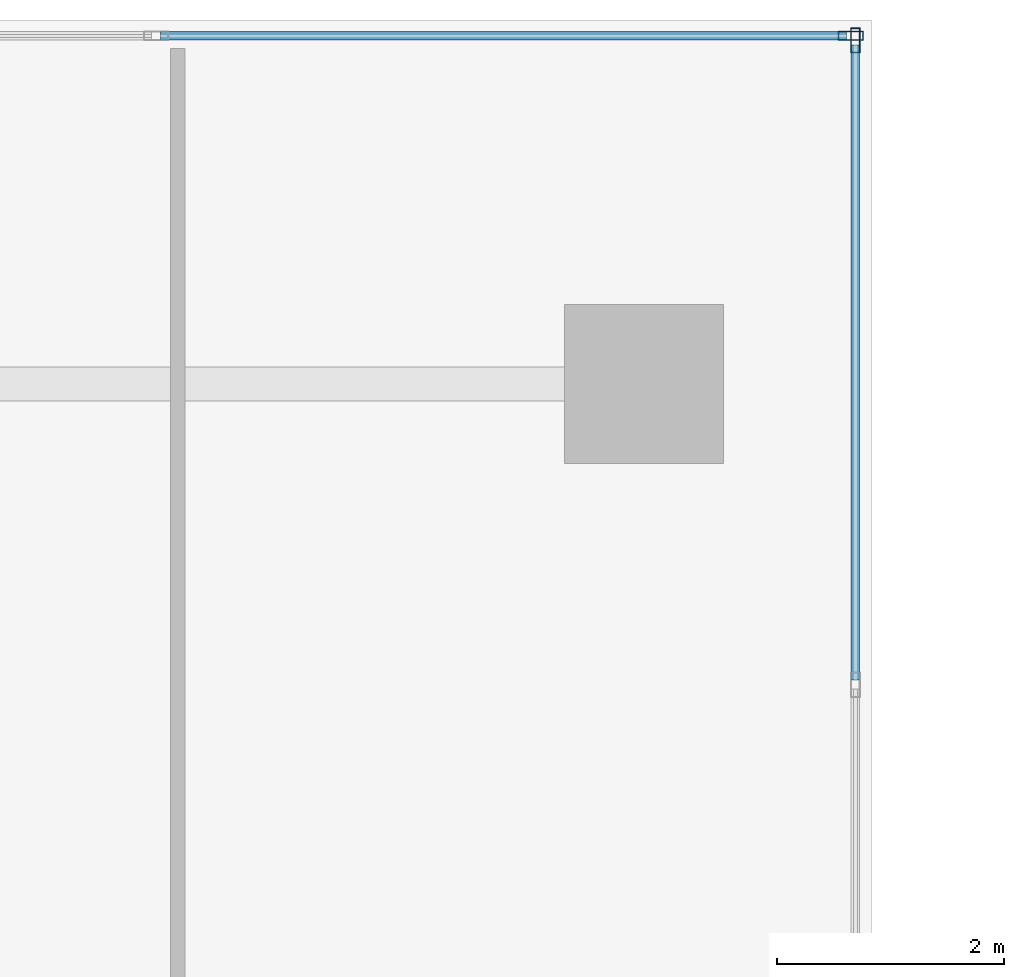
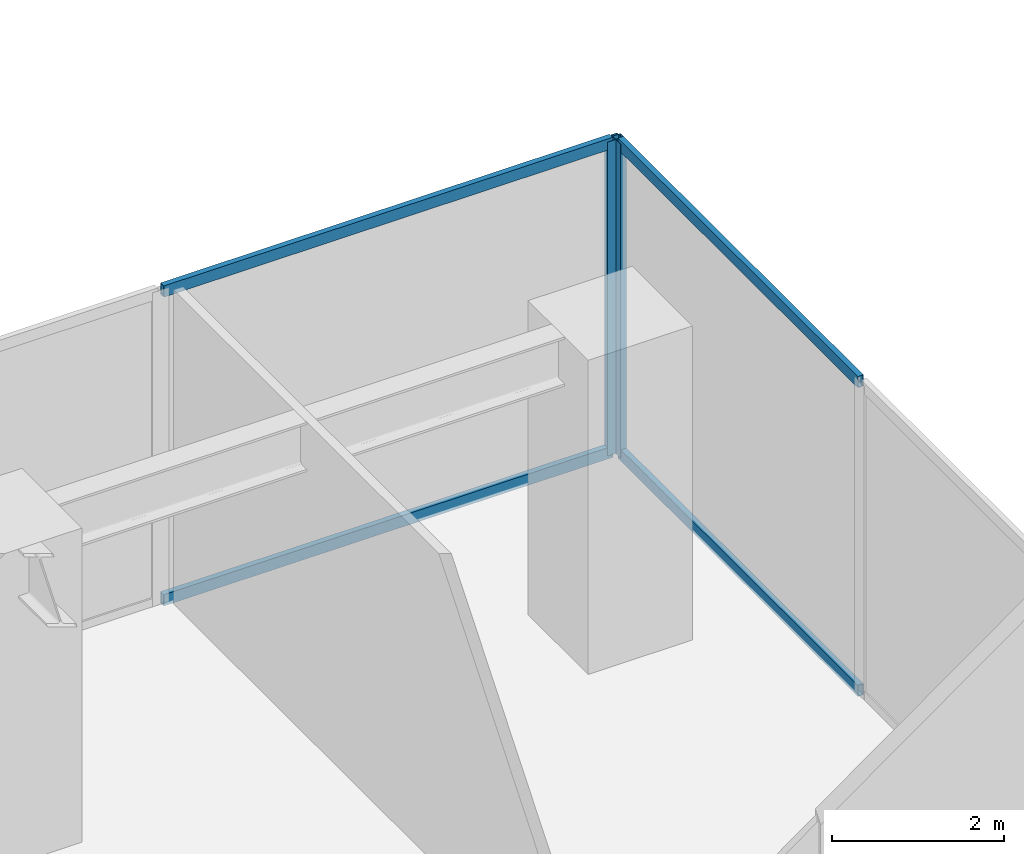
# One storey, part 7 of 16: 6 members, 2 elements without a shape of their own.
"""IFC4 building model written with IfcOpenShell, lengths in metres."""

from ifc_helpers import new_model, si_unit, direction, frame, origin, origin_with_axes, origin_2d, place, context, subcontext, project, spatial, hollow_rectangle, extrude, source, transform, mapped, material, layer, layer_set, material_profile, profile_set, type_object, element, aggregate, save


model = new_model("IFC4")

# Units and contexts
model_context = context("Model", 3, precision=1e-05, world=origin(), true_north=direction((0.0, 1.0)))
body_context = subcontext(model_context, "Body", "Model", "MODEL_VIEW")
ifc_project = project(units=[si_unit("LENGTHUNIT", "METRE"), si_unit("AREAUNIT", "SQUARE_METRE"), si_unit("VOLUMEUNIT", "CUBIC_METRE"), si_unit("PLANEANGLEUNIT", "RADIAN"), si_unit("MASSUNIT", "GRAM", prefix="KILO")], contexts=[model_context])

# Site, building, storey
site_placement = place(None, origin())
site = spatial("IfcSite", under=ifc_project, at=site_placement, CompositionType="ELEMENT")
building_placement = place(site_placement, origin())
building = spatial("IfcBuilding", under=site, at=building_placement, Name="Kolvaren Waterfront Exchange", CompositionType="ELEMENT")
storey_placement = place(building_placement, frame((0.0, 0.0, 10.39990234375)))
storey = spatial("IfcBuildingStorey", under=building, at=storey_placement, Name="L03", CompositionType="ELEMENT", Elevation=10.39990234375)

# Curtain wall, members
ifc_material_1 = material(Name="Anodised bronze aluminium 6063-T6", Category="aluminium")
ifc_layer_1 = layer(ifc_material_1, 0.219970703125, Name="Anodised bronze aluminium 6063-T6")
ifc_layer_set_1 = layer_set([ifc_layer_1], Name="Anodised bronze aluminium 6063-T6")
curtain_wall_type_1 = type_object("IfcCurtainWallType", Name="ARC-CW-SYS4", PredefinedType="USERDEFINED", material=ifc_layer_set_1)
curtain_wall_1_placement = place(storey_placement, origin())
curtain_wall_1 = element("IfcCurtainWall", 1, at=curtain_wall_1_placement, inside=storey, type_object=curtain_wall_type_1, Name="L03 stick curtain wall CW4 (CW-L03-N1)", ObjectType="STICK CURTAIN WALL", PredefinedType="USERDEFINED")
ifc_material_2 = material(Name="Anodised aluminium 6063-T6", Category="aluminium")
ifc_material_profile_1 = material_profile(ifc_material_2, hollow_rectangle(XDim=0.074951171875, YDim=0.159912109375, WallThickness=0.00439453125, at=origin_2d()), Name="ALU-TRN-160x75x4.5")
ifc_profile_set_1 = profile_set([ifc_material_profile_1], Name="Anodised aluminium 6063-T6")
member_type_1 = type_object("IfcMemberType", Name="ARC-CWT-160", PredefinedType="USERDEFINED", material=ifc_profile_set_1)
shared_shape_1 = source(origin_with_axes(), body_context, "Body", "SweptSolid", [
    extrude(hollow_rectangle(XDim=0.074951171875, YDim=0.159912109375, WallThickness=0.00439453125, at=origin_2d()), origin(), (0.0, 0.0, 1.0), 5.5849609375),
])
member_1_placement = place(storey_placement, frame((37.260009765625, 45.39501953125, 0.03759765625), z_axis=(0.0, 1.0, 0.0), x_axis=(-1.0, 0.0, 0.0)))
member_1 = element("IfcMember", 2, at=member_1_placement, type_object=member_type_1, Name="CW4 transom 2.1", ObjectType="TRANSOM", PredefinedType="USERDEFINED", context=body_context, shape_type="MappedRepresentation", body=[
    mapped(shared_shape_1, transform((0.0, 0.0, 0.0), x_axis=(1.0, 0.0, 0.0), y_axis=(0.0, 1.0, 0.0), z_axis=(0.0, 0.0, 1.0), scale=1.0)),
])
member_2_placement = place(storey_placement, frame((37.260009765625, 45.39501953125, 4.422607421875), z_axis=(0.0, 1.0, 0.0), x_axis=(-1.0, 0.0, 0.0)))
member_2 = element("IfcMember", 3, at=member_2_placement, type_object=member_type_1, Name="CW4 transom 2.2", ObjectType="TRANSOM", PredefinedType="USERDEFINED", context=body_context, shape_type="MappedRepresentation", body=[
    mapped(shared_shape_1, transform((0.0, 0.0, 0.0), x_axis=(1.0, 0.0, 0.0), y_axis=(0.0, 1.0, 0.0), z_axis=(0.0, 0.0, 1.0), scale=1.0)),
])

ifc_layer_2 = layer(ifc_material_1, 0.219970703125, Name="Anodised bronze aluminium 6063-T6")
ifc_layer_set_2 = layer_set([ifc_layer_2], Name="Anodised bronze aluminium 6063-T6")
curtain_wall_type_2 = type_object("IfcCurtainWallType", Name="ARC-CW-SYS1", PredefinedType="USERDEFINED", material=ifc_layer_set_2)
curtain_wall_2_placement = place(storey_placement, origin())
curtain_wall_2 = element("IfcCurtainWall", 4, at=curtain_wall_2_placement, inside=storey, type_object=curtain_wall_type_2, Name="L03 stick curtain wall CW1 (CW-L03-N2)", ObjectType="STICK CURTAIN WALL", PredefinedType="USERDEFINED")
shared_shape_2 = source(origin_with_axes(), body_context, "Body", "SweptSolid", [
    extrude(hollow_rectangle(XDim=0.074951171875, YDim=0.159912109375, WallThickness=0.00439453125, at=origin_2d()), origin(), (0.0, 0.0, 1.0), 6.031494140625),
])
member_3_placement = place(storey_placement, frame((37.179931640625, 51.06005859375, 0.03759765625), z_axis=(-1.0, 0.0, 0.0), x_axis=(0.0, -1.0, 0.0)))
member_3 = element("IfcMember", 5, at=member_3_placement, type_object=member_type_1, Name="CW1 transom 1.1", ObjectType="TRANSOM", PredefinedType="USERDEFINED", context=body_context, shape_type="MappedRepresentation", body=[
    mapped(shared_shape_2, transform((0.0, 0.0, 0.0), x_axis=(1.0, 0.0, 0.0), y_axis=(0.0, 1.0, 0.0), z_axis=(0.0, 0.0, 1.0), scale=1.0)),
])
member_4_placement = place(storey_placement, frame((37.179931640625, 51.06005859375, 4.422607421875), z_axis=(-1.0, 0.0, 0.0), x_axis=(0.0, -1.0, 0.0)))
member_4 = element("IfcMember", 6, at=member_4_placement, type_object=member_type_1, Name="CW1 transom 1.2", ObjectType="TRANSOM", PredefinedType="USERDEFINED", context=body_context, shape_type="MappedRepresentation", body=[
    mapped(shared_shape_2, transform((0.0, 0.0, 0.0), x_axis=(1.0, 0.0, 0.0), y_axis=(0.0, 1.0, 0.0), z_axis=(0.0, 0.0, 1.0), scale=1.0)),
])

# Member
ifc_material_profile_2 = material_profile(ifc_material_2, hollow_rectangle(XDim=0.080078125, YDim=0.219970703125, WallThickness=0.0048828125, at=origin_2d()), Name="ALU-MUL-220x80x5")
ifc_profile_set_2 = profile_set([ifc_material_profile_2], Name="Anodised aluminium 6063-T6")
member_type_2 = type_object("IfcMemberType", Name="ARC-CWM-220", PredefinedType="MULLION", material=ifc_profile_set_2)
shared_shape_3 = source(origin_with_axes(), body_context, "Body", "SweptSolid", [
    extrude(hollow_rectangle(XDim=0.080078125, YDim=0.219970703125, WallThickness=0.0048828125, at=origin_2d()), origin(), (0.0, 0.0, 1.0), 4.460205078125),
])
member_5_placement = place(storey_placement, frame((37.260009765625, 51.02001953125, 0.0), z_axis=(0.0, 0.0, 1.0), x_axis=(-1.0, 0.0, 0.0)))
member_5 = element("IfcMember", 7, at=member_5_placement, type_object=member_type_2, Name="CW4 mullion 3", PredefinedType="MULLION", context=body_context, shape_type="MappedRepresentation", body=[
    mapped(shared_shape_3, transform((0.0, 0.0, 0.0), x_axis=(1.0, 0.0, 0.0), y_axis=(0.0, 1.0, 0.0), z_axis=(0.0, 0.0, 1.0), scale=1.0)),
])

aggregate(curtain_wall_1, [member_5, member_1, member_2])

member_6_placement = place(storey_placement, frame((37.219970703125, 51.06005859375, 0.0), z_axis=(0.0, 0.0, 1.0), x_axis=(0.0, -1.0, 0.0)))
member_6 = element("IfcMember", 8, at=member_6_placement, type_object=member_type_2, Name="CW1 mullion 1", PredefinedType="MULLION", context=body_context, shape_type="MappedRepresentation", body=[
    mapped(shared_shape_3, transform((0.0, 0.0, 0.0), x_axis=(1.0, 0.0, 0.0), y_axis=(0.0, 1.0, 0.0), z_axis=(0.0, 0.0, 1.0), scale=1.0)),
])

aggregate(curtain_wall_2, [member_6, member_3, member_4])

save(model, "model.ifc")
